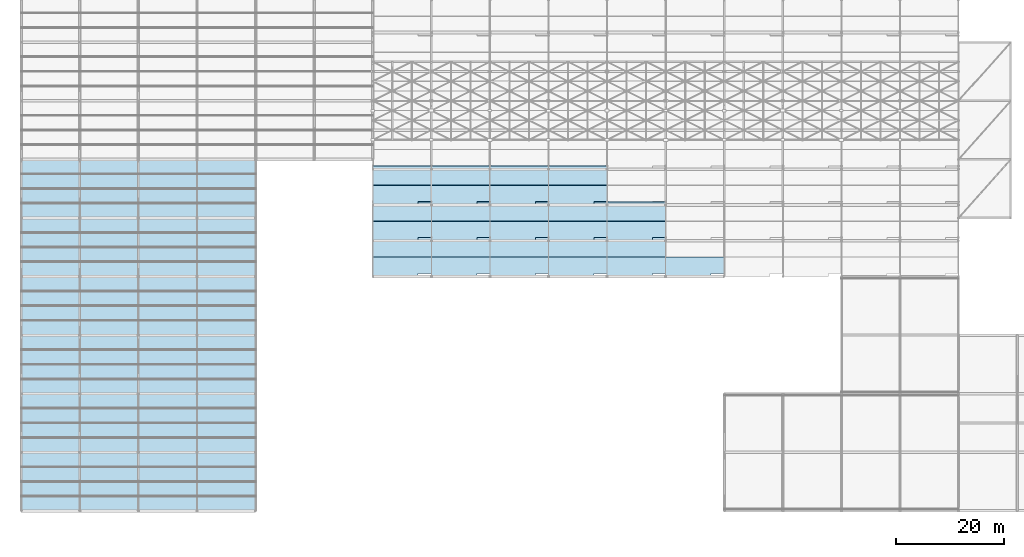
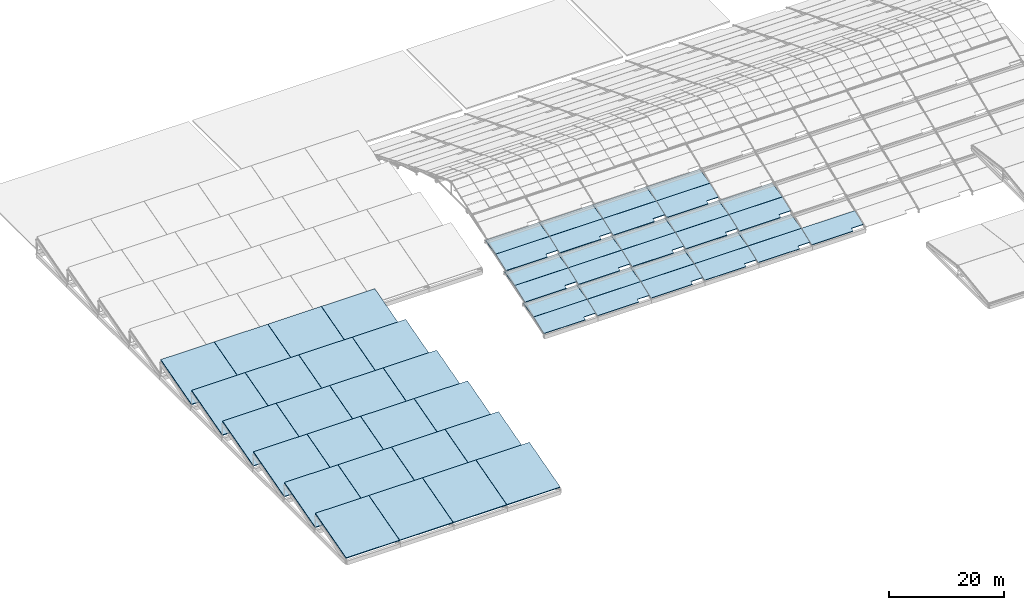
# One storey, part 96 of 112: 53 slabs, 10 elements without a shape of their own.
"""IFC4 building model written with IfcOpenShell, lengths in metres."""

import ifcopenshell
import ifcopenshell.guid

model = None  # the IFC model being written
_history = None  # IfcOwnerHistory: only IFC2X3 demands one
_inside = {}  # id of a spatial element -> (the spatial element, [elements in it])
_under = {}  # id of a project, library or spatial element -> (it, [spatial elements below it])
_declared = {}  # id of a project -> (the project, [libraries it declares])
_typed = {}  # id of a type object -> (the type object, [elements of that type])
_made_of = {}  # id of a material, layer set ... -> (it, [elements and type objects made of it])


def new_model(schema):
    """Start an empty IFC model of exactly this schema.

    Asked for "IFC4X3", IfcOpenShell would pick the latest addendum, in which some entities
    have other attributes; the version numbers below select the first issue.
    IFC2X3 requires an IfcOwnerHistory on every rooted entity: one is made here for all.
    """
    global model, _history
    if schema == "IFC4X3":
        model = ifcopenshell.file(schema_version=(4, 3, 0, 0))
    else:
        model = ifcopenshell.file(schema=schema)
    _inside.clear()
    _under.clear()
    _declared.clear()
    _typed.clear()
    _made_of.clear()
    _history = None
    if model.schema == "IFC2X3":
        org = make("IfcOrganization", Name="unknown")
        user = make(
            "IfcPersonAndOrganization",
            ThePerson=make("IfcPerson", FamilyName="unknown"),
            TheOrganization=org,
        )
        app = make(
            "IfcApplication",
            ApplicationDeveloper=org,
            Version="unknown",
            ApplicationFullName="unknown",
            ApplicationIdentifier="unknown",
        )
        _history = make(
            "IfcOwnerHistory",
            OwningUser=user,
            OwningApplication=app,
            ChangeAction="ADDED",
            CreationDate=0,
        )
    return model


def make(cls, **values):
    """One entity of the class cls with the attributes given. An attribute that is None is left unset."""
    return model.create_entity(
        cls, **{name: value for name, value in values.items() if value is not None}
    )


def rooted(cls, **values):
    """An entity with a GlobalId (a new one), such as an element, a storey or a relation."""
    return make(cls, GlobalId=ifcopenshell.guid.new(), OwnerHistory=_history, **values)


def si_unit(unit_type, name, prefix=None):
    """IfcSIUnit, for example si_unit("LENGTHUNIT", "METRE", prefix="MILLI")."""
    return make("IfcSIUnit", UnitType=unit_type, Prefix=prefix, Name=name)


def assignment(units):
    """IfcUnitAssignment: the units of a project."""
    return None if units is None else make("IfcUnitAssignment", Units=units)


def point(xyz):
    """IfcCartesianPoint."""
    return None if xyz is None else make("IfcCartesianPoint", Coordinates=xyz)


def direction(xyz):
    """IfcDirection."""
    return None if xyz is None else make("IfcDirection", DirectionRatios=xyz)


def frame(location, z_axis=None, x_axis=None):
    """IfcAxis2Placement3D, a coordinate frame: its origin and axes. An axis left out is left unset."""
    return make(
        "IfcAxis2Placement3D",
        Location=point(location),
        Axis=direction(z_axis),
        RefDirection=direction(x_axis),
    )


def origin():
    """The frame at (0, 0, 0) with its axes left unset."""
    return frame((0.0, 0.0, 0.0))


def place(relative_to, where):
    """IfcLocalPlacement: puts the frame where relative to a parent placement (None: the world)."""
    return make(
        "IfcLocalPlacement", PlacementRelTo=relative_to, RelativePlacement=where
    )


def context(
    kind, dimensions, precision=None, world=None, true_north=None, identifier=None
):
    """IfcGeometricRepresentationContext, for example the 3D "Model" context."""
    return make(
        "IfcGeometricRepresentationContext",
        ContextIdentifier=identifier,
        ContextType=kind,
        CoordinateSpaceDimension=dimensions,
        Precision=precision,
        WorldCoordinateSystem=world,
        TrueNorth=true_north,
    )


def subcontext(parent, identifier, kind, view, scale=None):
    """IfcGeometricRepresentationSubContext, for example "Body" below "Model"."""
    return make(
        "IfcGeometricRepresentationSubContext",
        ContextIdentifier=identifier,
        ContextType=kind,
        ParentContext=parent,
        TargetScale=scale,
        TargetView=view,
    )


def project(units=None, contexts=None):
    """IfcProject with its units and contexts."""
    return rooted(
        "IfcProject",
        Name="project",
        RepresentationContexts=contexts,
        UnitsInContext=assignment(units),
    )


def spatial(cls, under=None, at=None, **own):
    """A site, building, storey or space (cls), placed at a placement, below another one or the project."""
    s = rooted(cls, ObjectPlacement=at, **own)
    if under is not None:
        _under.setdefault(under.id(), (under, []))[1].append(s)
    return s


def polyline(points):
    """IfcPolyline through the points."""
    return make("IfcPolyline", Points=[point(p) for p in points])


def outline(outer, holes=None, kind="AREA"):
    """IfcArbitraryClosedProfileDef: a profile drawn as a closed curve; with holes, ...WithVoids."""
    if holes is None:
        return make("IfcArbitraryClosedProfileDef", ProfileType=kind, OuterCurve=outer)
    return make(
        "IfcArbitraryProfileDefWithVoids",
        ProfileType=kind,
        OuterCurve=outer,
        InnerCurves=holes,
    )


def extrude(swept, where, along, depth):
    """IfcExtrudedAreaSolid: the profile swept, set in the frame where, extruded along a direction by depth."""
    return make(
        "IfcExtrudedAreaSolid",
        SweptArea=swept,
        Position=where,
        ExtrudedDirection=direction(along),
        Depth=depth,
    )


def shape(context_of_items, identifier, shape_type, items):
    """IfcShapeRepresentation: the items that make up one representation, for example the "Body"."""
    return make(
        "IfcShapeRepresentation",
        ContextOfItems=context_of_items,
        RepresentationIdentifier=identifier,
        RepresentationType=shape_type,
        Items=items,
    )


def material(Name=None, Category=None):
    """IfcMaterial."""
    return make("IfcMaterial", Name=Name, Category=Category)


def layer(
    of_material, thickness, ventilated=None, Name=None, Category=None, Priority=None
):
    """IfcMaterialLayer: one layer of a wall or slab, of a material (None: an air gap)."""
    return make(
        "IfcMaterialLayer",
        Material=of_material,
        LayerThickness=thickness,
        IsVentilated=ventilated,
        Name=Name,
        Category=Category,
        Priority=Priority,
    )


def layer_set(layers, Name=None):
    """IfcMaterialLayerSet."""
    return make("IfcMaterialLayerSet", MaterialLayers=layers, LayerSetName=Name)


def made_of(thing, what):
    """Note that an element or type object is made of a material, layer set ...; save() writes the relation."""
    if what is not None:
        _made_of.setdefault(what.id(), (what, []))[1].append(thing)
    return thing


def type_object(cls, material=None, **own):
    """A type object (cls), such as IfcWallType, which elements share."""
    return made_of(rooted(cls, **own), material)


def element(
    cls,
    number,
    at=None,
    inside=None,
    cuts=None,
    type_object=None,
    material=None,
    context=None,
    identifier="Body",
    shape_type=None,
    held_by="IfcProductDefinitionShape",
    body=None,
    shapes=None,
    **own,
):
    """One element of the class cls, such as IfcWall. Its Tag is "e" and its number.

    at: its placement. inside: the storey or other place that contains it. cuts: it is an
    opening in that element (IfcRelVoidsElement). A single representation is given by context,
    identifier, shape_type and body (its items); several are given by shapes. held_by: the class
    of the entity that holds the representations. save() writes the other relations.
    """
    e = rooted(cls, Tag="e%d" % number, ObjectPlacement=at, **own)
    if body is not None:
        shapes = [shape(context, identifier, shape_type, body)]
    if shapes is not None:
        e.Representation = make(held_by, Representations=shapes)
    if inside is not None:
        _inside.setdefault(inside.id(), (inside, []))[1].append(e)
    if cuts is not None:
        rooted(
            "IfcRelVoidsElement", RelatingBuildingElement=cuts, RelatedOpeningElement=e
        )
    if type_object is not None:
        _typed.setdefault(type_object.id(), (type_object, []))[1].append(e)
    return made_of(e, material)


def aggregate(whole, parts):
    """IfcRelAggregates: a whole, such as a stair, and the parts it consists of."""
    return rooted("IfcRelAggregates", RelatingObject=whole, RelatedObjects=parts)


def save(model, path):
    """Write the relations noted so far, then the file.

    IfcRelAggregates (storeys below a building ...), IfcRelContainedInSpatialStructure (elements
    in a storey), IfcRelDefinesByType, IfcRelAssociatesMaterial and IfcRelDeclares: one each for
    every whole, place, type object, material and project.
    """
    for whole, parts in _under.values():
        aggregate(whole, parts)
    for where, things in _inside.values():
        rooted(
            "IfcRelContainedInSpatialStructure",
            RelatedElements=things,
            RelatingStructure=where,
        )
    for kind, things in _typed.values():
        rooted("IfcRelDefinesByType", RelatedObjects=things, RelatingType=kind)
    for what, things in _made_of.values():
        rooted("IfcRelAssociatesMaterial", RelatedObjects=things, RelatingMaterial=what)
    for by, libraries in _declared.values():
        rooted("IfcRelDeclares", RelatingContext=by, RelatedDefinitions=libraries)
    model.write(path)


model = new_model("IFC4")

# Units and contexts
model_context = context("Model", 3, precision=1e-05, world=origin(), true_north=direction((0.0, 1.0)))
body_context = subcontext(model_context, "Body", "Model", "MODEL_VIEW")
ifc_project = project(units=[si_unit("LENGTHUNIT", "METRE"), si_unit("AREAUNIT", "SQUARE_METRE"), si_unit("VOLUMEUNIT", "CUBIC_METRE"), si_unit("PLANEANGLEUNIT", "RADIAN"), si_unit("MASSUNIT", "GRAM", prefix="KILO")], contexts=[model_context])

# Site, building, storey
site_placement = place(None, origin())
site = spatial("IfcSite", under=ifc_project, at=site_placement, CompositionType="ELEMENT")
building_placement = place(site_placement, origin())
building = spatial("IfcBuilding", under=site, at=building_placement, Name="Zwinboog Wholesale Market", CompositionType="ELEMENT")
storey_placement = place(building_placement, frame((0.0, 0.0, 19.080078125)))
storey = spatial("IfcBuildingStorey", under=building, at=storey_placement, Name="Roof", CompositionType="ELEMENT", Elevation=19.080078125)

# Roof, slabs
ifc_material_1 = material(Name="Concrete C50/60", Category="concrete")
roof_type_1 = type_object("IfcRoofType", Name="RFT-SHELL-BARREL", PredefinedType="BARREL_ROOF", material=ifc_material_1)
roof_1_placement = place(storey_placement, origin())
roof_1 = element("IfcRoof", 1, at=roof_1_placement, inside=storey, type_object=roof_type_1, Name="RF-SH (ROOF-BARREL-01)", PredefinedType="BARREL_ROOF")
ifc_layer_1 = layer(ifc_material_1, 0.159912109375)
ifc_layer_set_1 = layer_set([ifc_layer_1], Name="Concrete C50/60")
slab_type_1 = type_object("IfcSlabType", Name="SLT-SH-160", PredefinedType="ROOF", material=ifc_layer_set_1)
slab_1_placement = place(storey_placement, frame((64.81005859375, 43.2099609375, -9.47998046875), z_axis=(4.693168e-06, -0.35168856816, 0.936117060524), x_axis=(0.999999999989, 1.650534e-06, -4.393355e-06)))
slab_1 = element("IfcSlab", 2, at=slab_1_placement, type_object=slab_type_1, Name="SH-160 (SLB-SH-ST1-B01-1)", PredefinedType="ROOF", context=body_context, shape_type="SweptSolid", body=[
    extrude(outline(polyline([(0.0, 0.0), (8.379882812407713, -1.7745092090793826e-21), (8.379882812882592, 0.641011787892545), (10.78002929723116, 0.641011787892545), (10.78002929686201, 3.8243830316615175), (1.0573042088097136e-10, 3.8243830316615175), (0.0, 0.0)])), origin(), (0.0, 0.0, -1.0), 0.159912109375),
])
slab_2_placement = place(storey_placement, frame((64.81005859375, 46.81005859375, -8.135009765625), z_axis=(0.0, -0.219374447053, 0.975640739197), x_axis=(1.0, 0.0, 0.0)))
slab_2 = element("IfcSlab", 3, at=slab_2_placement, type_object=slab_type_1, Name="SH-160 (SLB-SH-ST1-B01-2)", PredefinedType="ROOF", context=body_context, shape_type="SweptSolid", body=[
    extrude(outline(polyline([(0.0, 0.0), (10.780029296875, 0.0), (10.780029296875, 3.6692133082944967), (0.0, 3.6692133082944967), (0.0, 0.0)])), origin(), (0.0, 0.0, -1.0), 0.159912109375),
])

roof_2_placement = place(storey_placement, origin())
roof_2 = element("IfcRoof", 4, at=roof_2_placement, inside=storey, type_object=roof_type_1, Name="RF-SH (ROOF-BARREL-02)", PredefinedType="BARREL_ROOF")
slab_3_placement = place(storey_placement, frame((75.610107421875, 43.2099609375, -9.47998046875), z_axis=(4.69326e-06, -0.351688567707, 0.936117060694), x_axis=(0.999999999989, 1.650566e-06, -4.393441e-06)))
slab_3 = element("IfcSlab", 5, at=slab_3_placement, type_object=slab_type_1, Name="SH-160 (SLB-SH-ST1-B02-1)", PredefinedType="ROOF", context=body_context, shape_type="SweptSolid", body=[
    extrude(outline(polyline([(0.0, 0.0), (8.37988281240771, 0.0), (8.379882812882595, 0.6410117878925938), (10.779785156606165, 0.6410117878925938), (10.779785156237002, 3.824383031661528), (1.0572380666834866e-10, 3.824383031661528), (0.0, 0.0)])), origin(), (0.0, 0.0, -1.0), 0.159912109375),
])
slab_4_placement = place(storey_placement, frame((75.610107421875, 46.81005859375, -8.135009765625), z_axis=(0.0, -0.219374447053, 0.975640739197), x_axis=(1.0, 0.0, 0.0)))
slab_4 = element("IfcSlab", 6, at=slab_4_placement, type_object=slab_type_1, Name="SH-160 (SLB-SH-ST1-B02-2)", PredefinedType="ROOF", context=body_context, shape_type="SweptSolid", body=[
    extrude(outline(polyline([(0.0, 0.0), (10.77978515625, 0.0), (10.77978515625, 3.6692133082944967), (0.0, 3.6692133082944967), (0.0, 0.0)])), origin(), (0.0, 0.0, -1.0), 0.159912109375),
])

roof_3_placement = place(storey_placement, origin())
roof_3 = element("IfcRoof", 7, at=roof_3_placement, inside=storey, type_object=roof_type_1, Name="RF-SH (ROOF-BARREL-03)", PredefinedType="BARREL_ROOF")
slab_5_placement = place(storey_placement, frame((86.409912109375, 43.2099609375, -9.47998046875), z_axis=(4.69315e-06, -0.351688567577, 0.936117060743), x_axis=(0.999999999989, 1.650527e-06, -4.393337e-06)))
slab_5 = element("IfcSlab", 8, at=slab_5_placement, type_object=slab_type_1, Name="SH-160 (SLB-SH-ST1-B03-1)", PredefinedType="ROOF", context=body_context, shape_type="SweptSolid", body=[
    extrude(outline(polyline([(0.0, 0.0), (8.380126953032711, -1.774560907867667e-21), (8.380126953507585, 0.6410117878926078), (10.780029297231154, 0.6410117878926078), (10.780029296861999, 3.824383031661531), (1.0571883235301646e-10, 3.824383031661531), (0.0, 0.0)])), origin(), (0.0, 0.0, -1.0), 0.159912109375),
])
slab_6_placement = place(storey_placement, frame((86.409912109375, 46.81005859375, -8.135009765625), z_axis=(0.0, -0.219374447053, 0.975640739197), x_axis=(1.0, 0.0, 0.0)))
slab_6 = element("IfcSlab", 9, at=slab_6_placement, type_object=slab_type_1, Name="SH-160 (SLB-SH-ST1-B03-2)", PredefinedType="ROOF", context=body_context, shape_type="SweptSolid", body=[
    extrude(outline(polyline([(0.0, 0.0), (10.780029296875, 0.0), (10.780029296875, 3.6692133082944967), (0.0, 3.6692133082944967), (0.0, 0.0)])), origin(), (0.0, 0.0, -1.0), 0.159912109375),
])

roof_4_placement = place(storey_placement, origin())
roof_4 = element("IfcRoof", 10, at=roof_4_placement, inside=storey, type_object=roof_type_1, Name="RF-SH (ROOF-BARREL-04)", PredefinedType="BARREL_ROOF")
slab_7_placement = place(storey_placement, frame((97.2099609375, 43.2099609375, -9.47998046875), z_axis=(4.69315e-06, -0.351688567577, 0.936117060743), x_axis=(0.999999999989, 1.650527e-06, -4.393337e-06)))
slab_7 = element("IfcSlab", 11, at=slab_7_placement, type_object=slab_type_1, Name="SH-160 (SLB-SH-ST1-B04-1)", PredefinedType="ROOF", context=body_context, shape_type="SweptSolid", body=[
    extrude(outline(polyline([(0.0, 0.0), (8.380126953032711, -1.774560907867667e-21), (8.380126953507585, 0.6410117878926078), (10.780029297231154, 0.6410117878926078), (10.780029296861999, 3.824383031661531), (1.0571883235301646e-10, 3.824383031661531), (0.0, 0.0)])), origin(), (0.0, 0.0, -1.0), 0.159912109375),
])
slab_8_placement = place(storey_placement, frame((97.2099609375, 46.81005859375, -8.135009765625), z_axis=(0.0, -0.219374447053, 0.975640739197), x_axis=(1.0, 0.0, 0.0)))
slab_8 = element("IfcSlab", 12, at=slab_8_placement, type_object=slab_type_1, Name="SH-160 (SLB-SH-ST1-B04-2)", PredefinedType="ROOF", context=body_context, shape_type="SweptSolid", body=[
    extrude(outline(polyline([(0.0, 0.0), (10.780029296875, 0.0), (10.780029296875, 3.6692133082944967), (0.0, 3.6692133082944967), (0.0, 0.0)])), origin(), (0.0, 0.0, -1.0), 0.159912109375),
])

roof_5_placement = place(storey_placement, origin())
roof_5 = element("IfcRoof", 13, at=roof_5_placement, inside=storey, type_object=roof_type_1, Name="RF-SH (ROOF-BARREL-05)", PredefinedType="BARREL_ROOF")
slab_9_placement = place(storey_placement, frame((108.010009765625, 43.2099609375, -9.47998046875), z_axis=(4.693168e-06, -0.35168856816, 0.936117060524), x_axis=(0.999999999989, 1.650534e-06, -4.393355e-06)))
slab_9 = element("IfcSlab", 14, at=slab_9_placement, type_object=slab_type_1, Name="SH-160 (SLB-SH-ST1-B05-1)", PredefinedType="ROOF", context=body_context, shape_type="SweptSolid", body=[
    extrude(outline(polyline([(0.0, 0.0), (8.379882812407713, -1.7745092090793826e-21), (8.379882812882592, 0.641011787892545), (10.78002929723116, 0.641011787892545), (10.78002929686201, 3.8243830316615175), (1.0573042088097136e-10, 3.8243830316615175), (0.0, 0.0)])), origin(), (0.0, 0.0, -1.0), 0.159912109375),
])
slab_10_placement = place(storey_placement, frame((108.010009765625, 46.81005859375, -8.135009765625), z_axis=(0.0, -0.219374447053, 0.975640739197), x_axis=(1.0, 0.0, 0.0)))
slab_10 = element("IfcSlab", 15, at=slab_10_placement, type_object=slab_type_1, Name="SH-160 (SLB-SH-ST1-B05-2)", PredefinedType="ROOF", context=body_context, shape_type="SweptSolid", body=[
    extrude(outline(polyline([(0.0, 0.0), (10.780029296875, 0.0), (10.780029296875, 3.6692133082944967), (0.0, 3.6692133082944967), (0.0, 0.0)])), origin(), (0.0, 0.0, -1.0), 0.159912109375),
])

# Slab
slab_11_placement = place(storey_placement, frame((118.81005859375, 43.2099609375, -9.47998046875), z_axis=(4.693168e-06, -0.35168856816, 0.936117060524), x_axis=(0.999999999989, 1.650534e-06, -4.393355e-06)))
slab_11 = element("IfcSlab", 16, at=slab_11_placement, type_object=slab_type_1, Name="SH-160 (SLB-SH-ST1-B06-1)", PredefinedType="ROOF", context=body_context, shape_type="SweptSolid", body=[
    extrude(outline(polyline([(0.0, 0.0), (8.379882812407713, -1.7745092090793826e-21), (8.379882812882592, 0.641011787892545), (10.78002929723116, 0.641011787892545), (10.78002929686201, 3.8243830316615175), (1.0573042088097136e-10, 3.8243830316615175), (0.0, 0.0)])), origin(), (0.0, 0.0, -1.0), 0.159912109375),
])

ifc_layer_2 = layer(ifc_material_1, 0.172119140625)
ifc_layer_set_2 = layer_set([ifc_layer_2], Name="Concrete C50/60")
slab_type_2 = type_object("IfcSlabType", Name="SLT-SH-172", PredefinedType="ROOF", material=ifc_layer_set_2)
slab_12_placement = place(storey_placement, frame((64.81005859375, 49.81005859375, -6.780029296875), z_axis=(1.249569e-06, -0.351705539728, 0.936110684334), x_axis=(0.999999999999, 4.3948e-07, -1.169735e-06)))
slab_12 = element("IfcSlab", 17, at=slab_12_placement, type_object=slab_type_2, Name="SH-172 (SLB-SH-ST2-B01-1)", PredefinedType="ROOF", context=body_context, shape_type="SweptSolid", body=[
    extrude(outline(polyline([(0.0, 0.0), (8.379882812493458, 0.0), (8.379882812527123, 0.6407832433051913), (10.78002929690025, 0.6407832433051913), (10.78002929687408, 3.824154487977018), (7.495290763518035e-12, 3.824154487977018), (0.0, 0.0)])), origin(), (0.0, 0.0, -1.0), 0.172119140625),
])

slab_13_placement = place(storey_placement, frame((64.81005859375, 53.409912109375, -5.43505859375), z_axis=(0.0, -0.219360206869, 0.975643941017), x_axis=(1.0, 0.0, 0.0)))
slab_13 = element("IfcSlab", 18, at=slab_13_placement, type_object=slab_type_2, Name="SH-172 (SLB-SH-ST2-B01-2)", PredefinedType="ROOF", context=body_context, shape_type="SweptSolid", body=[
    extrude(outline(polyline([(0.0, 0.0), (10.780029296875, 0.0), (10.780029296875, 3.669451502225199), (0.0, 3.669451502225199), (0.0, 0.0)])), origin(), (0.0, 0.0, -1.0), 0.172119140625),
])

slab_14_placement = place(storey_placement, frame((75.610107421875, 49.81005859375, -6.780029296875), z_axis=(1.249594e-06, -0.351705539607, 0.936110684379), x_axis=(0.999999999999, 4.39489e-07, -1.169758e-06)))
slab_14 = element("IfcSlab", 19, at=slab_14_placement, type_object=slab_type_2, Name="SH-172 (SLB-SH-ST2-B02-1)", PredefinedType="ROOF", context=body_context, shape_type="SweptSolid", body=[
    extrude(outline(polyline([(0.0, 0.0), (8.379882812493458, 0.0), (8.379882812527123, 0.6407832433051945), (10.77978515627525, 0.6407832433051945), (10.779785156249078, 3.824154487977018), (7.494821892877005e-12, 3.824154487977018), (0.0, 0.0)])), origin(), (0.0, 0.0, -1.0), 0.172119140625),
])

slab_15_placement = place(storey_placement, frame((75.610107421875, 53.409912109375, -5.43505859375), z_axis=(0.0, -0.219360206869, 0.975643941017), x_axis=(1.0, 0.0, 0.0)))
slab_15 = element("IfcSlab", 20, at=slab_15_placement, type_object=slab_type_2, Name="SH-172 (SLB-SH-ST2-B02-2)", PredefinedType="ROOF", context=body_context, shape_type="SweptSolid", body=[
    extrude(outline(polyline([(0.0, 0.0), (10.77978515625, 0.0), (10.77978515625, 3.669451502225199), (0.0, 3.669451502225199), (0.0, 0.0)])), origin(), (0.0, 0.0, -1.0), 0.172119140625),
])

slab_16_placement = place(storey_placement, frame((86.409912109375, 49.81005859375, -6.780029296875), z_axis=(1.249564e-06, -0.351705539572, 0.936110684392), x_axis=(0.999999999999, 4.39479e-07, -1.169731e-06)))
slab_16 = element("IfcSlab", 21, at=slab_16_placement, type_object=slab_type_2, Name="SH-172 (SLB-SH-ST2-B03-1)", PredefinedType="ROOF", context=body_context, shape_type="SweptSolid", body=[
    extrude(outline(polyline([(0.0, 0.0), (8.380126953118458, 4.436402269669168e-22), (8.380126953152123, 0.6407832433051956), (10.78002929690025, 0.6407832433051956), (10.780029296874078, 3.824154487977019), (7.494469264378976e-12, 3.824154487977019), (0.0, 0.0)])), origin(), (0.0, 0.0, -1.0), 0.172119140625),
])

slab_17_placement = place(storey_placement, frame((86.409912109375, 53.409912109375, -5.43505859375), z_axis=(0.0, -0.219360206869, 0.975643941017), x_axis=(1.0, 0.0, 0.0)))
slab_17 = element("IfcSlab", 22, at=slab_17_placement, type_object=slab_type_2, Name="SH-172 (SLB-SH-ST2-B03-2)", PredefinedType="ROOF", context=body_context, shape_type="SweptSolid", body=[
    extrude(outline(polyline([(0.0, 0.0), (10.780029296875, 0.0), (10.780029296875, 3.669451502225199), (0.0, 3.669451502225199), (0.0, 0.0)])), origin(), (0.0, 0.0, -1.0), 0.172119140625),
])

slab_18_placement = place(storey_placement, frame((97.2099609375, 49.81005859375, -6.780029296875), z_axis=(1.249564e-06, -0.351705539572, 0.936110684392), x_axis=(0.999999999999, 4.39479e-07, -1.169731e-06)))
slab_18 = element("IfcSlab", 23, at=slab_18_placement, type_object=slab_type_2, Name="SH-172 (SLB-SH-ST2-B04-1)", PredefinedType="ROOF", context=body_context, shape_type="SweptSolid", body=[
    extrude(outline(polyline([(0.0, 0.0), (8.380126953118458, 4.436402269669168e-22), (8.380126953152123, 0.6407832433051956), (10.78002929690025, 0.6407832433051956), (10.780029296874078, 3.824154487977019), (7.494469264378976e-12, 3.824154487977019), (0.0, 0.0)])), origin(), (0.0, 0.0, -1.0), 0.172119140625),
])

slab_19_placement = place(storey_placement, frame((97.2099609375, 53.409912109375, -5.43505859375), z_axis=(0.0, -0.219360206869, 0.975643941017), x_axis=(1.0, 0.0, 0.0)))
slab_19 = element("IfcSlab", 24, at=slab_19_placement, type_object=slab_type_2, Name="SH-172 (SLB-SH-ST2-B04-2)", PredefinedType="ROOF", context=body_context, shape_type="SweptSolid", body=[
    extrude(outline(polyline([(0.0, 0.0), (10.780029296875, 0.0), (10.780029296875, 3.669451502225199), (0.0, 3.669451502225199), (0.0, 0.0)])), origin(), (0.0, 0.0, -1.0), 0.172119140625),
])

slab_20_placement = place(storey_placement, frame((108.010009765625, 49.81005859375, -6.780029296875), z_axis=(1.249569e-06, -0.351705539728, 0.936110684334), x_axis=(0.999999999999, 4.3948e-07, -1.169735e-06)))
slab_20 = element("IfcSlab", 25, at=slab_20_placement, type_object=slab_type_2, Name="SH-172 (SLB-SH-ST2-B05-1)", PredefinedType="ROOF", context=body_context, shape_type="SweptSolid", body=[
    extrude(outline(polyline([(0.0, 0.0), (8.379882812493458, 0.0), (8.379882812527123, 0.6407832433051913), (10.78002929690025, 0.6407832433051913), (10.78002929687408, 3.824154487977018), (7.495290763518035e-12, 3.824154487977018), (0.0, 0.0)])), origin(), (0.0, 0.0, -1.0), 0.172119140625),
])

slab_21_placement = place(storey_placement, frame((108.010009765625, 53.409912109375, -5.43505859375), z_axis=(0.0, -0.219360206869, 0.975643941017), x_axis=(1.0, 0.0, 0.0)))
slab_21 = element("IfcSlab", 26, at=slab_21_placement, type_object=slab_type_2, Name="SH-172 (SLB-SH-ST2-B05-2)", PredefinedType="ROOF", context=body_context, shape_type="SweptSolid", body=[
    extrude(outline(polyline([(0.0, 0.0), (10.780029296875, 0.0), (10.780029296875, 3.669451502225199), (0.0, 3.669451502225199), (0.0, 0.0)])), origin(), (0.0, 0.0, -1.0), 0.172119140625),
])

aggregate(roof_5, [slab_9, slab_10, slab_20, slab_21])

ifc_layer_3 = layer(ifc_material_1, 0.18603515625)
ifc_layer_set_3 = layer_set([ifc_layer_3], Name="Concrete C50/60")
slab_type_3 = type_object("IfcSlabType", Name="SLT-SH-186", PredefinedType="ROOF", material=ifc_layer_set_3)
slab_22_placement = place(storey_placement, frame((64.81005859375, 56.409912109375, -4.080078125), z_axis=(4.693168e-06, -0.35168856816, 0.936117060524), x_axis=(0.999999999989, 1.650534e-06, -4.393355e-06)))
slab_22 = element("IfcSlab", 27, at=slab_22_placement, type_object=slab_type_3, Name="SH-186 (SLB-SH-ST3-B01-1)", PredefinedType="ROOF", context=body_context, shape_type="SweptSolid", body=[
    extrude(outline(polyline([(0.0, 0.0), (8.379882812407713, -1.7745092090793826e-21), (8.379882812882592, 0.641011787892545), (10.78002929723116, 0.641011787892545), (10.78002929686201, 3.8243830316615175), (1.0573042088097136e-10, 3.8243830316615175), (0.0, 0.0)])), origin(), (0.0, 0.0, -1.0), 0.18603515625),
])

slab_23_placement = place(storey_placement, frame((64.81005859375, 60.010009765625, -2.735107421875), z_axis=(0.0, -0.219360206869, 0.975643941017), x_axis=(1.0, 0.0, 0.0)))
slab_23 = element("IfcSlab", 28, at=slab_23_placement, type_object=slab_type_3, Name="SH-186 (SLB-SH-ST3-B01-2)", PredefinedType="ROOF", context=body_context, shape_type="SweptSolid", body=[
    extrude(outline(polyline([(0.0, 0.0), (10.780029296875, 0.0), (10.780029296875, 3.669451502225199), (0.0, 3.669451502225199), (0.0, 0.0)])), origin(), (0.0, 0.0, -1.0), 0.18603515625),
])

aggregate(roof_1, [slab_1, slab_2, slab_12, slab_13, slab_22, slab_23, slab_11])

slab_24_placement = place(storey_placement, frame((75.610107421875, 56.409912109375, -4.080078125), z_axis=(4.69326e-06, -0.351688567707, 0.936117060694), x_axis=(0.999999999989, 1.650566e-06, -4.393441e-06)))
slab_24 = element("IfcSlab", 29, at=slab_24_placement, type_object=slab_type_3, Name="SH-186 (SLB-SH-ST3-B02-1)", PredefinedType="ROOF", context=body_context, shape_type="SweptSolid", body=[
    extrude(outline(polyline([(0.0, 0.0), (8.37988281240771, 0.0), (8.379882812882595, 0.6410117878925938), (10.779785156606165, 0.6410117878925938), (10.779785156237002, 3.824383031661528), (1.0572380666834866e-10, 3.824383031661528), (0.0, 0.0)])), origin(), (0.0, 0.0, -1.0), 0.18603515625),
])

slab_25_placement = place(storey_placement, frame((75.610107421875, 60.010009765625, -2.735107421875), z_axis=(0.0, -0.219360206869, 0.975643941017), x_axis=(1.0, 0.0, 0.0)))
slab_25 = element("IfcSlab", 30, at=slab_25_placement, type_object=slab_type_3, Name="SH-186 (SLB-SH-ST3-B02-2)", PredefinedType="ROOF", context=body_context, shape_type="SweptSolid", body=[
    extrude(outline(polyline([(0.0, 0.0), (10.77978515625, 0.0), (10.77978515625, 3.669451502225199), (0.0, 3.669451502225199), (0.0, 0.0)])), origin(), (0.0, 0.0, -1.0), 0.18603515625),
])

aggregate(roof_2, [slab_3, slab_4, slab_14, slab_15, slab_24, slab_25])

slab_26_placement = place(storey_placement, frame((86.409912109375, 56.409912109375, -4.080078125), z_axis=(4.69315e-06, -0.351688567577, 0.936117060743), x_axis=(0.999999999989, 1.650527e-06, -4.393337e-06)))
slab_26 = element("IfcSlab", 31, at=slab_26_placement, type_object=slab_type_3, Name="SH-186 (SLB-SH-ST3-B03-1)", PredefinedType="ROOF", context=body_context, shape_type="SweptSolid", body=[
    extrude(outline(polyline([(0.0, 0.0), (8.380126953032711, -1.774560907867667e-21), (8.380126953507585, 0.6410117878926078), (10.780029297231154, 0.6410117878926078), (10.780029296861999, 3.824383031661531), (1.0571883235301646e-10, 3.824383031661531), (0.0, 0.0)])), origin(), (0.0, 0.0, -1.0), 0.18603515625),
])

slab_27_placement = place(storey_placement, frame((86.409912109375, 60.010009765625, -2.735107421875), z_axis=(0.0, -0.219360206869, 0.975643941017), x_axis=(1.0, 0.0, 0.0)))
slab_27 = element("IfcSlab", 32, at=slab_27_placement, type_object=slab_type_3, Name="SH-186 (SLB-SH-ST3-B03-2)", PredefinedType="ROOF", context=body_context, shape_type="SweptSolid", body=[
    extrude(outline(polyline([(0.0, 0.0), (10.780029296875, 0.0), (10.780029296875, 3.669451502225199), (0.0, 3.669451502225199), (0.0, 0.0)])), origin(), (0.0, 0.0, -1.0), 0.18603515625),
])

aggregate(roof_3, [slab_5, slab_6, slab_16, slab_17, slab_26, slab_27])

slab_28_placement = place(storey_placement, frame((97.2099609375, 56.409912109375, -4.080078125), z_axis=(4.69315e-06, -0.351688567577, 0.936117060743), x_axis=(0.999999999989, 1.650527e-06, -4.393337e-06)))
slab_28 = element("IfcSlab", 33, at=slab_28_placement, type_object=slab_type_3, Name="SH-186 (SLB-SH-ST3-B04-1)", PredefinedType="ROOF", context=body_context, shape_type="SweptSolid", body=[
    extrude(outline(polyline([(0.0, 0.0), (8.380126953032711, -1.774560907867667e-21), (8.380126953507585, 0.6410117878926078), (10.780029297231154, 0.6410117878926078), (10.780029296861999, 3.824383031661531), (1.0571883235301646e-10, 3.824383031661531), (0.0, 0.0)])), origin(), (0.0, 0.0, -1.0), 0.18603515625),
])

slab_29_placement = place(storey_placement, frame((97.2099609375, 60.010009765625, -2.735107421875), z_axis=(0.0, -0.219360206869, 0.975643941017), x_axis=(1.0, 0.0, 0.0)))
slab_29 = element("IfcSlab", 34, at=slab_29_placement, type_object=slab_type_3, Name="SH-186 (SLB-SH-ST3-B04-2)", PredefinedType="ROOF", context=body_context, shape_type="SweptSolid", body=[
    extrude(outline(polyline([(0.0, 0.0), (10.780029296875, 0.0), (10.780029296875, 3.669451502225199), (0.0, 3.669451502225199), (0.0, 0.0)])), origin(), (0.0, 0.0, -1.0), 0.18603515625),
])

aggregate(roof_4, [slab_7, slab_8, slab_18, slab_19, slab_28, slab_29])

# Roof, slab
ifc_material_2 = material(Name="Precast concrete C45/55", Category="concrete")
roof_type_2 = type_object("IfcRoofType", Name="RFT-PAV-ROOF", PredefinedType="PAVILION_ROOF", material=ifc_material_2)
roof_6_placement = place(storey_placement, origin())
roof_6 = element("IfcRoof", 35, at=roof_6_placement, inside=storey, type_object=roof_type_2, Name="RF-PV (ROOF-PAV-02)", PredefinedType="PAVILION_ROOF")
ifc_layer_4 = layer(ifc_material_2, 0.214111328125)
ifc_layer_set_4 = layer_set([ifc_layer_4], Name="Precast concrete C45/55")
slab_type_4 = type_object("IfcSlabType", Name="SLT-RF-214", PredefinedType="ROOF", material=ifc_layer_set_4)
slab_30_placement = place(storey_placement, frame((10.820068359375, 0.02001953125, -8.43017578125), z_axis=(0.0, -0.268566954863, 0.963261019016), x_axis=(1.0, 0.0, 0.0)))
slab_30 = element("IfcSlab", 36, at=slab_30_placement, type_object=slab_type_4, Name="SR-214 (SLB-NL-002)", PredefinedType="ROOF", context=body_context, shape_type="SweptSolid", body=[
    extrude(outline(polyline([(0.0, 0.0), (10.760009765625, 0.0), (10.760009765625, 11.170398836046337), (0.0, 11.170398836046337), (0.0, 0.0)])), origin(), (0.0, 0.0, -1.0), 0.214111328125),
])

roof_7_placement = place(storey_placement, origin())
roof_7 = element("IfcRoof", 37, at=roof_7_placement, inside=storey, type_object=roof_type_2, Name="RF-PV (ROOF-PAV-04)", PredefinedType="PAVILION_ROOF")
slab_31_placement = place(storey_placement, frame((32.419921875, 0.02001953125, -8.43017578125), z_axis=(0.0, -0.268566954863, 0.963261019016), x_axis=(1.0, 0.0, 0.0)))
slab_31 = element("IfcSlab", 38, at=slab_31_placement, type_object=slab_type_4, Name="SR-214 (SLB-NL-004)", PredefinedType="ROOF", context=body_context, shape_type="SweptSolid", body=[
    extrude(outline(polyline([(0.0, 0.0), (10.760009765625, 0.0), (10.760009765625, 11.170398836046337), (0.0, 11.170398836046337), (0.0, 0.0)])), origin(), (0.0, 0.0, -1.0), 0.214111328125),
])

roof_8_placement = place(storey_placement, origin())
roof_8 = element("IfcRoof", 39, at=roof_8_placement, inside=storey, type_object=roof_type_2, Name="RF-PV (ROOF-PAV-01)", PredefinedType="PAVILION_ROOF")
slab_32_placement = place(storey_placement, frame((10.820068359375, 10.820068359375, -8.43017578125), z_axis=(0.0, -0.268566954863, 0.963261019016), x_axis=(1.0, 0.0, 0.0)))
slab_32 = element("IfcSlab", 40, at=slab_32_placement, type_object=slab_type_4, Name="SR-214 (SLB-NL-006)", PredefinedType="ROOF", context=body_context, shape_type="SweptSolid", body=[
    extrude(outline(polyline([(0.0, 0.0), (10.760009765625, 0.0), (10.760009765625, 11.170398836046337), (0.0, 11.170398836046337), (0.0, 0.0)])), origin(), (0.0, 0.0, -1.0), 0.214111328125),
])

roof_9_placement = place(storey_placement, origin())
roof_9 = element("IfcRoof", 41, at=roof_9_placement, inside=storey, type_object=roof_type_2, Name="RF-PV (ROOF-PAV-03)", PredefinedType="PAVILION_ROOF")
slab_33_placement = place(storey_placement, frame((32.419921875, 10.820068359375, -8.43017578125), z_axis=(0.0, -0.268566954863, 0.963261019016), x_axis=(1.0, 0.0, 0.0)))
slab_33 = element("IfcSlab", 42, at=slab_33_placement, type_object=slab_type_4, Name="SR-214 (SLB-NL-008)", PredefinedType="ROOF", context=body_context, shape_type="SweptSolid", body=[
    extrude(outline(polyline([(0.0, 0.0), (10.760009765625, 0.0), (10.760009765625, 11.170398836046337), (0.0, 11.170398836046337), (0.0, 0.0)])), origin(), (0.0, 0.0, -1.0), 0.214111328125),
])

roof_10_placement = place(storey_placement, origin())
roof_10 = element("IfcRoof", 43, at=roof_10_placement, inside=storey, type_object=roof_type_2, Name="RF-PV (ROOF-PAV-05)", PredefinedType="PAVILION_ROOF")
slab_34_placement = place(storey_placement, frame((10.820068359375, 21.6201171875, -8.43017578125), z_axis=(0.0, -0.268572609135, 0.96325944253), x_axis=(1.0, 0.0, 0.0)))
slab_34 = element("IfcSlab", 44, at=slab_34_placement, type_object=slab_type_4, Name="SR-214 (SLB-NL-010)", PredefinedType="ROOF", context=body_context, shape_type="SweptSolid", body=[
    extrude(outline(polyline([(0.0, 0.0), (10.760009765625, 0.0), (10.760009765625, 11.170163665091557), (0.0, 11.170163665091557), (0.0, 0.0)])), origin(), (0.0, 0.0, -1.0), 0.214111328125),
])

# Slab
slab_35_placement = place(storey_placement, frame((32.419921875, 21.6201171875, -8.43017578125), z_axis=(0.0, -0.268572609135, 0.96325944253), x_axis=(1.0, 0.0, 0.0)))
slab_35 = element("IfcSlab", 45, at=slab_35_placement, type_object=slab_type_4, Name="SR-214 (SLB-NL-012)", PredefinedType="ROOF", context=body_context, shape_type="SweptSolid", body=[
    extrude(outline(polyline([(0.0, 0.0), (10.760009765625, 0.0), (10.760009765625, 11.170163665091557), (0.0, 11.170163665091557), (0.0, 0.0)])), origin(), (0.0, 0.0, -1.0), 0.214111328125),
])

slab_36_placement = place(storey_placement, frame((10.820068359375, 32.419921875, -8.43017578125), z_axis=(0.0, -0.268566954863, 0.963261019016), x_axis=(1.0, 0.0, 0.0)))
slab_36 = element("IfcSlab", 46, at=slab_36_placement, type_object=slab_type_4, Name="SR-214 (SLB-NL-014)", PredefinedType="ROOF", context=body_context, shape_type="SweptSolid", body=[
    extrude(outline(polyline([(0.0, 0.0), (10.760009765625, 0.0), (10.760009765625, 11.170398836046337), (0.0, 11.170398836046337), (0.0, 0.0)])), origin(), (0.0, 0.0, -1.0), 0.214111328125),
])

slab_37_placement = place(storey_placement, frame((32.419921875, 32.419921875, -8.43017578125), z_axis=(0.0, -0.268566954863, 0.963261019016), x_axis=(1.0, 0.0, 0.0)))
slab_37 = element("IfcSlab", 47, at=slab_37_placement, type_object=slab_type_4, Name="SR-214 (SLB-NL-016)", PredefinedType="ROOF", context=body_context, shape_type="SweptSolid", body=[
    extrude(outline(polyline([(0.0, 0.0), (10.760009765625, 0.0), (10.760009765625, 11.170398836046337), (0.0, 11.170398836046337), (0.0, 0.0)])), origin(), (0.0, 0.0, -1.0), 0.214111328125),
])

slab_38_placement = place(storey_placement, frame((10.820068359375, 43.219970703125, -8.43017578125), z_axis=(0.0, -0.268566954863, 0.963261019016), x_axis=(1.0, 0.0, 0.0)))
slab_38 = element("IfcSlab", 48, at=slab_38_placement, type_object=slab_type_4, Name="SR-214 (SLB-NL-018)", PredefinedType="ROOF", context=body_context, shape_type="SweptSolid", body=[
    extrude(outline(polyline([(0.0, 0.0), (10.760009765625, 0.0), (10.760009765625, 11.170398836046337), (0.0, 11.170398836046337), (0.0, 0.0)])), origin(), (0.0, 0.0, -1.0), 0.214111328125),
])

slab_39_placement = place(storey_placement, frame((32.419921875, 43.219970703125, -8.43017578125), z_axis=(0.0, -0.268566954863, 0.963261019016), x_axis=(1.0, 0.0, 0.0)))
slab_39 = element("IfcSlab", 49, at=slab_39_placement, type_object=slab_type_4, Name="SR-214 (SLB-NL-020)", PredefinedType="ROOF", context=body_context, shape_type="SweptSolid", body=[
    extrude(outline(polyline([(0.0, 0.0), (10.760009765625, 0.0), (10.760009765625, 11.170398836046337), (0.0, 11.170398836046337), (0.0, 0.0)])), origin(), (0.0, 0.0, -1.0), 0.214111328125),
])

slab_40_placement = place(storey_placement, frame((10.820068359375, 54.02001953125, -8.43017578125), z_axis=(0.0, -0.268566954863, 0.963261019016), x_axis=(1.0, 0.0, 0.0)))
slab_40 = element("IfcSlab", 50, at=slab_40_placement, type_object=slab_type_4, Name="SR-214 (SLB-NL-022)", PredefinedType="ROOF", context=body_context, shape_type="SweptSolid", body=[
    extrude(outline(polyline([(0.0, 0.0), (10.760009765625, 0.0), (10.760009765625, 11.170398836046337), (0.0, 11.170398836046337), (0.0, 0.0)])), origin(), (0.0, 0.0, -1.0), 0.214111328125),
])

slab_41_placement = place(storey_placement, frame((32.419921875, 54.02001953125, -8.43017578125), z_axis=(0.0, -0.268566954863, 0.963261019016), x_axis=(1.0, 0.0, 0.0)))
slab_41 = element("IfcSlab", 51, at=slab_41_placement, type_object=slab_type_4, Name="SR-214 (SLB-NL-024)", PredefinedType="ROOF", context=body_context, shape_type="SweptSolid", body=[
    extrude(outline(polyline([(0.0, 0.0), (10.760009765625, 0.0), (10.760009765625, 11.170398836046337), (0.0, 11.170398836046337), (0.0, 0.0)])), origin(), (0.0, 0.0, -1.0), 0.214111328125),
])

ifc_layer_5 = layer(ifc_material_2, 0.22607421875)
ifc_layer_set_5 = layer_set([ifc_layer_5], Name="Precast concrete C45/55")
slab_type_5 = type_object("IfcSlabType", Name="SLT-RF-226", PredefinedType="ROOF", material=ifc_layer_set_5)
slab_42_placement = place(storey_placement, frame((0.02001953125, 0.02001953125, -8.43017578125), z_axis=(0.0, -0.268566954863, 0.963261019016), x_axis=(1.0, 0.0, 0.0)))
slab_42 = element("IfcSlab", 52, at=slab_42_placement, type_object=slab_type_5, Name="SR-226 (SLB-NL-001)", PredefinedType="ROOF", context=body_context, shape_type="SweptSolid", body=[
    extrude(outline(polyline([(0.0, 0.0), (10.760009765625, 0.0), (10.760009765625, 11.170398836046337), (0.0, 11.170398836046337), (0.0, 0.0)])), origin(), (0.0, 0.0, -1.0), 0.22607421875),
])

slab_43_placement = place(storey_placement, frame((21.6201171875, 0.02001953125, -8.43017578125), z_axis=(0.0, -0.268566954863, 0.963261019016), x_axis=(1.0, 0.0, 0.0)))
slab_43 = element("IfcSlab", 53, at=slab_43_placement, type_object=slab_type_5, Name="SR-226 (SLB-NL-003)", PredefinedType="ROOF", context=body_context, shape_type="SweptSolid", body=[
    extrude(outline(polyline([(0.0, 0.0), (10.759765625, 0.0), (10.759765625, 11.170398836046337), (0.0, 11.170398836046337), (0.0, 0.0)])), origin(), (0.0, 0.0, -1.0), 0.22607421875),
])

slab_44_placement = place(storey_placement, frame((0.02001953125, 10.820068359375, -8.43017578125), z_axis=(0.0, -0.268566954863, 0.963261019016), x_axis=(1.0, 0.0, 0.0)))
slab_44 = element("IfcSlab", 54, at=slab_44_placement, type_object=slab_type_5, Name="SR-226 (SLB-NL-005)", PredefinedType="ROOF", context=body_context, shape_type="SweptSolid", body=[
    extrude(outline(polyline([(0.0, 0.0), (10.760009765625, 0.0), (10.760009765625, 11.170398836046337), (0.0, 11.170398836046337), (0.0, 0.0)])), origin(), (0.0, 0.0, -1.0), 0.22607421875),
])

slab_45_placement = place(storey_placement, frame((21.6201171875, 10.820068359375, -8.43017578125), z_axis=(0.0, -0.268566954863, 0.963261019016), x_axis=(1.0, 0.0, 0.0)))
slab_45 = element("IfcSlab", 55, at=slab_45_placement, type_object=slab_type_5, Name="SR-226 (SLB-NL-007)", PredefinedType="ROOF", context=body_context, shape_type="SweptSolid", body=[
    extrude(outline(polyline([(0.0, 0.0), (10.759765625, 0.0), (10.759765625, 11.170398836046337), (0.0, 11.170398836046337), (0.0, 0.0)])), origin(), (0.0, 0.0, -1.0), 0.22607421875),
])

slab_46_placement = place(storey_placement, frame((0.02001953125, 21.6201171875, -8.43017578125), z_axis=(0.0, -0.268572609135, 0.96325944253), x_axis=(1.0, 0.0, 0.0)))
slab_46 = element("IfcSlab", 56, at=slab_46_placement, type_object=slab_type_5, Name="SR-226 (SLB-NL-009)", PredefinedType="ROOF", context=body_context, shape_type="SweptSolid", body=[
    extrude(outline(polyline([(0.0, 0.0), (10.760009765625, 0.0), (10.760009765625, 11.170163665091557), (0.0, 11.170163665091557), (0.0, 0.0)])), origin(), (0.0, 0.0, -1.0), 0.22607421875),
])

slab_47_placement = place(storey_placement, frame((21.6201171875, 21.6201171875, -8.43017578125), z_axis=(0.0, -0.268572609135, 0.96325944253), x_axis=(1.0, 0.0, 0.0)))
slab_47 = element("IfcSlab", 57, at=slab_47_placement, type_object=slab_type_5, Name="SR-226 (SLB-NL-011)", PredefinedType="ROOF", context=body_context, shape_type="SweptSolid", body=[
    extrude(outline(polyline([(0.0, 0.0), (10.759765625, 0.0), (10.759765625, 11.170163665091557), (0.0, 11.170163665091557), (0.0, 0.0)])), origin(), (0.0, 0.0, -1.0), 0.22607421875),
])

slab_48_placement = place(storey_placement, frame((0.02001953125, 32.419921875, -8.43017578125), z_axis=(0.0, -0.268566954863, 0.963261019016), x_axis=(1.0, 0.0, 0.0)))
slab_48 = element("IfcSlab", 58, at=slab_48_placement, type_object=slab_type_5, Name="SR-226 (SLB-NL-013)", PredefinedType="ROOF", context=body_context, shape_type="SweptSolid", body=[
    extrude(outline(polyline([(0.0, 0.0), (10.760009765625, 0.0), (10.760009765625, 11.170398836046337), (0.0, 11.170398836046337), (0.0, 0.0)])), origin(), (0.0, 0.0, -1.0), 0.22607421875),
])

slab_49_placement = place(storey_placement, frame((21.6201171875, 32.419921875, -8.43017578125), z_axis=(0.0, -0.268566954863, 0.963261019016), x_axis=(1.0, 0.0, 0.0)))
slab_49 = element("IfcSlab", 59, at=slab_49_placement, type_object=slab_type_5, Name="SR-226 (SLB-NL-015)", PredefinedType="ROOF", context=body_context, shape_type="SweptSolid", body=[
    extrude(outline(polyline([(0.0, 0.0), (10.759765625, 0.0), (10.759765625, 11.170398836046337), (0.0, 11.170398836046337), (0.0, 0.0)])), origin(), (0.0, 0.0, -1.0), 0.22607421875),
])

aggregate(roof_10, [slab_44, slab_34, slab_49, slab_39])

slab_50_placement = place(storey_placement, frame((0.02001953125, 43.219970703125, -8.43017578125), z_axis=(0.0, -0.268566954863, 0.963261019016), x_axis=(1.0, 0.0, 0.0)))
slab_50 = element("IfcSlab", 60, at=slab_50_placement, type_object=slab_type_5, Name="SR-226 (SLB-NL-017)", PredefinedType="ROOF", context=body_context, shape_type="SweptSolid", body=[
    extrude(outline(polyline([(0.0, 0.0), (10.760009765625, 0.0), (10.760009765625, 11.170398836046337), (0.0, 11.170398836046337), (0.0, 0.0)])), origin(), (0.0, 0.0, -1.0), 0.22607421875),
])

aggregate(roof_6, [slab_30, slab_45, slab_35, slab_50, slab_40])

slab_51_placement = place(storey_placement, frame((21.6201171875, 43.219970703125, -8.43017578125), z_axis=(0.0, -0.268566954863, 0.963261019016), x_axis=(1.0, 0.0, 0.0)))
slab_51 = element("IfcSlab", 61, at=slab_51_placement, type_object=slab_type_5, Name="SR-226 (SLB-NL-019)", PredefinedType="ROOF", context=body_context, shape_type="SweptSolid", body=[
    extrude(outline(polyline([(0.0, 0.0), (10.759765625, 0.0), (10.759765625, 11.170398836046337), (0.0, 11.170398836046337), (0.0, 0.0)])), origin(), (0.0, 0.0, -1.0), 0.22607421875),
])

aggregate(roof_7, [slab_31, slab_46, slab_36, slab_51, slab_41])

slab_52_placement = place(storey_placement, frame((0.02001953125, 54.02001953125, -8.43017578125), z_axis=(0.0, -0.268566954863, 0.963261019016), x_axis=(1.0, 0.0, 0.0)))
slab_52 = element("IfcSlab", 62, at=slab_52_placement, type_object=slab_type_5, Name="SR-226 (SLB-NL-021)", PredefinedType="ROOF", context=body_context, shape_type="SweptSolid", body=[
    extrude(outline(polyline([(0.0, 0.0), (10.760009765625, 0.0), (10.760009765625, 11.170398836046337), (0.0, 11.170398836046337), (0.0, 0.0)])), origin(), (0.0, 0.0, -1.0), 0.22607421875),
])

aggregate(roof_8, [slab_42, slab_32, slab_47, slab_37, slab_52])

slab_53_placement = place(storey_placement, frame((21.6201171875, 54.02001953125, -8.43017578125), z_axis=(0.0, -0.268566954863, 0.963261019016), x_axis=(1.0, 0.0, 0.0)))
slab_53 = element("IfcSlab", 63, at=slab_53_placement, type_object=slab_type_5, Name="SR-226 (SLB-NL-023)", PredefinedType="ROOF", context=body_context, shape_type="SweptSolid", body=[
    extrude(outline(polyline([(0.0, 0.0), (10.759765625, 0.0), (10.759765625, 11.170398836046337), (0.0, 11.170398836046337), (0.0, 0.0)])), origin(), (0.0, 0.0, -1.0), 0.22607421875),
])

aggregate(roof_9, [slab_43, slab_33, slab_48, slab_38, slab_53])

save(model, "model.ifc")
